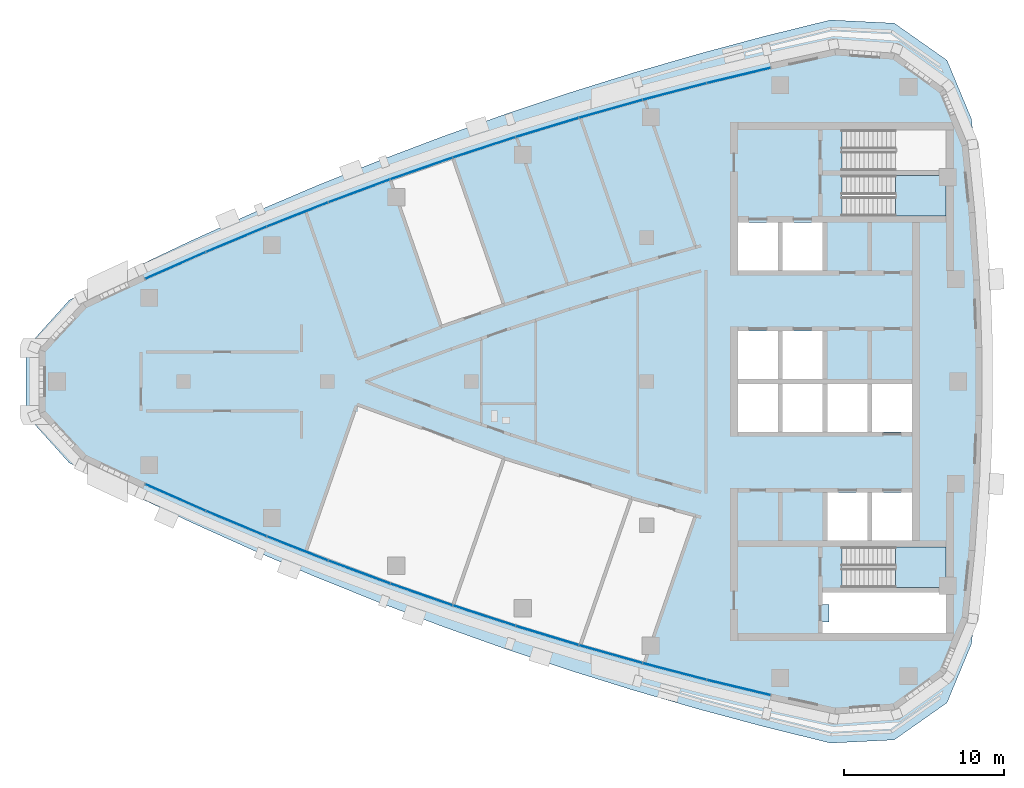
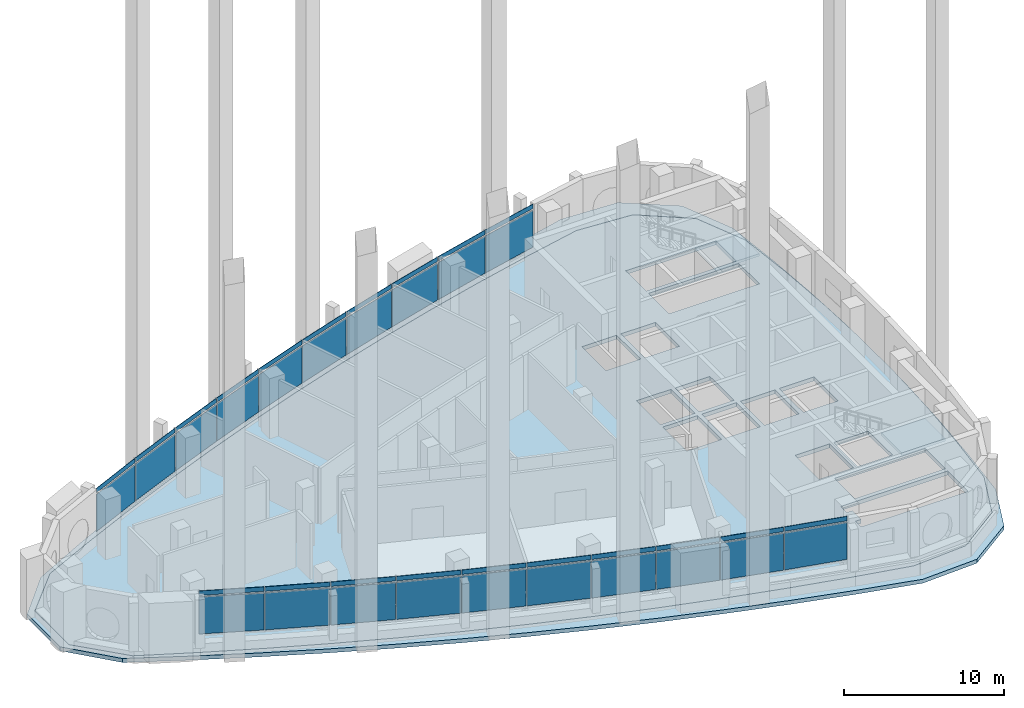
# One storey, part 5 of 15: 40 plates, 4 slabs, 1 opening, 12 elements without a shape of their own.
"""IFC4 building model written with IfcOpenShell, lengths in metres."""

from ifc_helpers import new_model, si_unit, direction, frame, origin, origin_2d, place, context, subcontext, project, spatial, polyline, rectangle, outline, extrude, material, layer, layer_set, type_object, element, aggregate, save


model = new_model("IFC4")

# Units and contexts
model_context = context("Model", 3, precision=1e-05, world=origin(), true_north=direction((0.0, 1.0)))
body_context = subcontext(model_context, "Body", "Model", "MODEL_VIEW")
ifc_project = project(units=[si_unit("LENGTHUNIT", "METRE"), si_unit("AREAUNIT", "SQUARE_METRE"), si_unit("VOLUMEUNIT", "CUBIC_METRE"), si_unit("PLANEANGLEUNIT", "RADIAN"), si_unit("MASSUNIT", "GRAM", prefix="KILO")], contexts=[model_context])

# Site, building, storey
site_placement = place(None, origin())
site = spatial("IfcSite", under=ifc_project, at=site_placement, CompositionType="ELEMENT")
building_placement = place(site_placement, origin())
building = spatial("IfcBuilding", under=site, at=building_placement, Name="Ostrand Prow Hotel Tower", CompositionType="ELEMENT")
storey_placement = place(building_placement, frame((0.0, 0.0, 263.300048828125)))
storey = spatial("IfcBuildingStorey", under=building, at=storey_placement, Name="L66", CompositionType="ELEMENT", Elevation=263.300048828125)

# Curtain wall, plates
ifc_material_1 = material(Name="Insulated glass in bronze anodised frame", Category="glass")
ifc_layer_1 = layer(ifc_material_1, 0.199951171875)
ifc_layer_set_1 = layer_set([ifc_layer_1], Name="Insulated glass in bronze anodised frame")
curtain_wall_type = type_object("IfcCurtainWallType", Name="Sky lobby full-height curtain wall", PredefinedType="NOTDEFINED", material=ifc_layer_set_1)
curtain_wall_1_placement = place(storey_placement, origin())
curtain_wall_1 = element("IfcCurtainWall", 1, at=curtain_wall_1_placement, inside=storey, type_object=curtain_wall_type, Name="CW3 run CWS1", PredefinedType="NOTDEFINED")
ifc_material_2 = material(Name="Low-iron clear glass", Category="glass")
ifc_layer_2 = layer(ifc_material_2, 0.031982421875)
ifc_layer_set_2 = layer_set([ifc_layer_2], Name="Low-iron clear glass")
plate_type_1 = type_object("IfcPlateType", Name="Clear glass unit 32 mm", PredefinedType="CURTAIN_PANEL", material=ifc_layer_set_2)
plate_1_placement = place(storey_placement, frame((15.493408203125, -7.259765625, 1.02001953125), z_axis=(0.0, 0.0, 1.0), x_axis=(0.914785615941, -0.403939694592, 0.0)))
plate_1 = element("IfcPlate", 2, at=plate_1_placement, type_object=plate_type_1, Name="CW3 PN-C panel 1.2", PredefinedType="CURTAIN_PANEL", context=body_context, shape_type="SweptSolid", body=[
    extrude(rectangle(XDim=4.079833984375, YDim=0.031982421875, at=origin_2d()), origin(), (0.0, 0.0, 1.0), 2.820068359375),
])
plate_2_placement = place(storey_placement, frame((15.493408203125, -7.259765625, 3.9599609375), z_axis=(0.0, 0.0, 1.0), x_axis=(0.914785615941, -0.403939694592, 0.0)))
plate_2 = element("IfcPlate", 3, at=plate_2_placement, type_object=plate_type_1, Name="CW3 PN-C panel 1.3", PredefinedType="CURTAIN_PANEL", context=body_context, shape_type="SweptSolid", body=[
    extrude(rectangle(XDim=4.079833984375, YDim=0.031982421875, at=origin_2d()), origin(), (0.0, 0.0, 1.0), 0.340087890625),
])
plate_3_placement = place(storey_placement, frame((19.297119140625, -8.893798828125, 1.02001953125), z_axis=(0.0, 0.0, 1.0), x_axis=(0.922719840955, -0.385471263659, 0.0)))
plate_3 = element("IfcPlate", 4, at=plate_3_placement, type_object=plate_type_1, Name="CW3 PN-C panel 2.2", PredefinedType="CURTAIN_PANEL", context=body_context, shape_type="SweptSolid", body=[
    extrude(rectangle(XDim=4.079833984375, YDim=0.031982421875, at=origin_2d()), origin(), (0.0, 0.0, 1.0), 2.820068359375),
])

curtain_wall_2_placement = place(storey_placement, origin())
curtain_wall_2 = element("IfcCurtainWall", 5, at=curtain_wall_2_placement, inside=storey, type_object=curtain_wall_type, Name="CW3 run CWS2", PredefinedType="NOTDEFINED")
plate_4_placement = place(storey_placement, frame((23.132568359375, -10.450927734375, 1.02001953125), z_axis=(0.0, 0.0, 1.0), x_axis=(0.930281895249, -0.366845465248, 0.0)))
plate_4 = element("IfcPlate", 6, at=plate_4_placement, type_object=plate_type_1, Name="CW3 PN-C panel 1.2", PredefinedType="CURTAIN_PANEL", context=body_context, shape_type="SweptSolid", body=[
    extrude(rectangle(XDim=4.079833984375, YDim=0.031982421875, at=origin_2d()), origin(), (0.0, 0.0, 1.0), 2.820068359375),
])
plate_5_placement = place(storey_placement, frame((26.99853515625, -11.930908203125, 1.02001953125), z_axis=(0.0, 0.0, 1.0), x_axis=(0.937468017947, -0.348071422738, 0.0)))
plate_5 = element("IfcPlate", 7, at=plate_5_placement, type_object=plate_type_1, Name="CW3 PN-C panel 2.2", PredefinedType="CURTAIN_PANEL", context=body_context, shape_type="SweptSolid", body=[
    extrude(rectangle(XDim=4.079833984375, YDim=0.031982421875, at=origin_2d()), origin(), (0.0, 0.0, 1.0), 2.820068359375),
])

curtain_wall_3_placement = place(storey_placement, origin())
curtain_wall_3 = element("IfcCurtainWall", 8, at=curtain_wall_3_placement, inside=storey, type_object=curtain_wall_type, Name="CW3 run CWS3", PredefinedType="NOTDEFINED")
plate_6_placement = place(storey_placement, frame((30.8935546875, -13.33251953125, 1.02001953125), z_axis=(0.0, 0.0, 1.0), x_axis=(0.944274730614, -0.329158370885, 0.0)))
plate_6 = element("IfcPlate", 9, at=plate_6_placement, type_object=plate_type_1, Name="CW3 PN-C panel 1.2", PredefinedType="CURTAIN_PANEL", context=body_context, shape_type="SweptSolid", body=[
    extrude(rectangle(XDim=4.079833984375, YDim=0.031982421875, at=origin_2d()), origin(), (0.0, 0.0, 1.0), 2.820068359375),
])
plate_7_placement = place(storey_placement, frame((30.8935546875, -13.33251953125, 3.9599609375), z_axis=(0.0, 0.0, 1.0), x_axis=(0.944274730614, -0.329158370885, 0.0)))
plate_7 = element("IfcPlate", 10, at=plate_7_placement, type_object=plate_type_1, Name="CW3 PN-C panel 1.3", PredefinedType="CURTAIN_PANEL", context=body_context, shape_type="SweptSolid", body=[
    extrude(rectangle(XDim=4.079833984375, YDim=0.031982421875, at=origin_2d()), origin(), (0.0, 0.0, 1.0), 0.340087890625),
])
plate_8_placement = place(storey_placement, frame((34.81591796875, -14.65576171875, 1.02001953125), z_axis=(0.0, 0.0, 1.0), x_axis=(0.950700464612, -0.310110668289, 0.0)))
plate_8 = element("IfcPlate", 11, at=plate_8_placement, type_object=plate_type_1, Name="CW3 PN-C panel 2.2", PredefinedType="CURTAIN_PANEL", context=body_context, shape_type="SweptSolid", body=[
    extrude(rectangle(XDim=4.079833984375, YDim=0.031982421875, at=origin_2d()), origin(), (0.0, 0.0, 1.0), 2.820068359375),
])

curtain_wall_4_placement = place(storey_placement, origin())
curtain_wall_4 = element("IfcCurtainWall", 12, at=curtain_wall_4_placement, inside=storey, type_object=curtain_wall_type, Name="CW3 run CWS4", PredefinedType="NOTDEFINED")
plate_9_placement = place(storey_placement, frame((38.76416015625, -15.89990234375, 1.02001953125), z_axis=(0.0, 0.0, 1.0), x_axis=(0.956742015769, -0.290937648411, 0.0)))
plate_9 = element("IfcPlate", 13, at=plate_9_placement, type_object=plate_type_1, Name="CW3 PN-C panel 1.2", PredefinedType="CURTAIN_PANEL", context=body_context, shape_type="SweptSolid", body=[
    extrude(rectangle(XDim=4.079833984375, YDim=0.031982421875, at=origin_2d()), origin(), (0.0, 0.0, 1.0), 2.820068359375),
])
plate_10_placement = place(storey_placement, frame((42.736572265625, -17.064453125, 1.02001953125), z_axis=(0.0, 0.0, 1.0), x_axis=(0.962396468548, -0.271648738865, 0.0)))
plate_10 = element("IfcPlate", 14, at=plate_10_placement, type_object=plate_type_1, Name="CW3 PN-C panel 2.2", PredefinedType="CURTAIN_PANEL", context=body_context, shape_type="SweptSolid", body=[
    extrude(rectangle(XDim=4.079833984375, YDim=0.031982421875, at=origin_2d()), origin(), (0.0, 0.0, 1.0), 2.820068359375),
])

curtain_wall_5_placement = place(storey_placement, origin())
curtain_wall_5 = element("IfcCurtainWall", 15, at=curtain_wall_5_placement, inside=storey, type_object=curtain_wall_type, Name="CW3 run CWS5", PredefinedType="NOTDEFINED")
plate_11_placement = place(storey_placement, frame((46.731689453125, -18.148681640625, 1.02001953125), z_axis=(0.0, 0.0, 1.0), x_axis=(0.967662519855, -0.252248384867, 0.0)))
plate_11 = element("IfcPlate", 16, at=plate_11_placement, type_object=plate_type_1, Name="CW3 PN-C panel 1.2", PredefinedType="CURTAIN_PANEL", context=body_context, shape_type="SweptSolid", body=[
    extrude(rectangle(XDim=4.079833984375, YDim=0.031982421875, at=origin_2d()), origin(), (0.0, 0.0, 1.0), 2.820068359375),
])
plate_12_placement = place(storey_placement, frame((46.731689453125, -18.148681640625, 3.9599609375), z_axis=(0.0, 0.0, 1.0), x_axis=(0.967662519855, -0.252248384867, 0.0)))
plate_12 = element("IfcPlate", 17, at=plate_12_placement, type_object=plate_type_1, Name="CW3 PN-C panel 1.3", PredefinedType="CURTAIN_PANEL", context=body_context, shape_type="SweptSolid", body=[
    extrude(rectangle(XDim=4.079833984375, YDim=0.031982421875, at=origin_2d()), origin(), (0.0, 0.0, 1.0), 0.340087890625),
])
plate_13_placement = place(storey_placement, frame((50.74755859375, -19.152587890625, 1.02001953125), z_axis=(0.0, 0.0, 1.0), x_axis=(0.972537533869, -0.232746096028, 0.0)))
plate_13 = element("IfcPlate", 18, at=plate_13_placement, type_object=plate_type_1, Name="CW3 PN-C panel 2.2", PredefinedType="CURTAIN_PANEL", context=body_context, shape_type="SweptSolid", body=[
    extrude(rectangle(XDim=4.079833984375, YDim=0.031982421875, at=origin_2d()), origin(), (0.0, 0.0, 1.0), 2.820068359375),
])

curtain_wall_6_placement = place(storey_placement, origin())
curtain_wall_6 = element("IfcCurtainWall", 19, at=curtain_wall_6_placement, inside=storey, type_object=curtain_wall_type, Name="CW3 run CWN1", PredefinedType="NOTDEFINED")
plate_14_placement = place(storey_placement, frame((50.74755859375, 19.152587890625, 1.02001953125), z_axis=(0.0, 0.0, 1.0), x_axis=(-0.972537533869, -0.232746096028, 0.0)))
plate_14 = element("IfcPlate", 20, at=plate_14_placement, type_object=plate_type_1, Name="CW3 PN-C panel 1.2", PredefinedType="CURTAIN_PANEL", context=body_context, shape_type="SweptSolid", body=[
    extrude(rectangle(XDim=4.079833984375, YDim=0.031982421875, at=origin_2d()), origin(), (0.0, 0.0, 1.0), 2.820068359375),
])
plate_15_placement = place(storey_placement, frame((50.74755859375, 19.152587890625, 3.9599609375), z_axis=(0.0, 0.0, 1.0), x_axis=(-0.972537533869, -0.232746096028, 0.0)))
plate_15 = element("IfcPlate", 21, at=plate_15_placement, type_object=plate_type_1, Name="CW3 PN-C panel 1.3", PredefinedType="CURTAIN_PANEL", context=body_context, shape_type="SweptSolid", body=[
    extrude(rectangle(XDim=4.079833984375, YDim=0.031982421875, at=origin_2d()), origin(), (0.0, 0.0, 1.0), 0.340087890625),
])
plate_16_placement = place(storey_placement, frame((46.731689453125, 18.148681640625, 1.02001953125), z_axis=(0.0, 0.0, 1.0), x_axis=(-0.967662519855, -0.252248384867, 0.0)))
plate_16 = element("IfcPlate", 22, at=plate_16_placement, type_object=plate_type_1, Name="CW3 PN-C panel 2.2", PredefinedType="CURTAIN_PANEL", context=body_context, shape_type="SweptSolid", body=[
    extrude(rectangle(XDim=4.079833984375, YDim=0.031982421875, at=origin_2d()), origin(), (0.0, 0.0, 1.0), 2.820068359375),
])

curtain_wall_7_placement = place(storey_placement, origin())
curtain_wall_7 = element("IfcCurtainWall", 23, at=curtain_wall_7_placement, inside=storey, type_object=curtain_wall_type, Name="CW3 run CWN2", PredefinedType="NOTDEFINED")
plate_17_placement = place(storey_placement, frame((42.736572265625, 17.064453125, 1.02001953125), z_axis=(0.0, 0.0, 1.0), x_axis=(-0.962396468548, -0.271648738865, 0.0)))
plate_17 = element("IfcPlate", 24, at=plate_17_placement, type_object=plate_type_1, Name="CW3 PN-C panel 1.2", PredefinedType="CURTAIN_PANEL", context=body_context, shape_type="SweptSolid", body=[
    extrude(rectangle(XDim=4.079833984375, YDim=0.031982421875, at=origin_2d()), origin(), (0.0, 0.0, 1.0), 2.820068359375),
])
plate_18_placement = place(storey_placement, frame((38.76416015625, 15.89990234375, 1.02001953125), z_axis=(0.0, 0.0, 1.0), x_axis=(-0.956742015769, -0.290937648411, 0.0)))
plate_18 = element("IfcPlate", 25, at=plate_18_placement, type_object=plate_type_1, Name="CW3 PN-C panel 2.2", PredefinedType="CURTAIN_PANEL", context=body_context, shape_type="SweptSolid", body=[
    extrude(rectangle(XDim=4.079833984375, YDim=0.031982421875, at=origin_2d()), origin(), (0.0, 0.0, 1.0), 2.820068359375),
])

curtain_wall_8_placement = place(storey_placement, origin())
curtain_wall_8 = element("IfcCurtainWall", 26, at=curtain_wall_8_placement, inside=storey, type_object=curtain_wall_type, Name="CW3 run CWN3", PredefinedType="NOTDEFINED")
plate_19_placement = place(storey_placement, frame((34.81591796875, 14.65576171875, 1.02001953125), z_axis=(0.0, 0.0, 1.0), x_axis=(-0.950700464612, -0.310110668289, 0.0)))
plate_19 = element("IfcPlate", 27, at=plate_19_placement, type_object=plate_type_1, Name="CW3 PN-C panel 1.2", PredefinedType="CURTAIN_PANEL", context=body_context, shape_type="SweptSolid", body=[
    extrude(rectangle(XDim=4.079833984375, YDim=0.031982421875, at=origin_2d()), origin(), (0.0, 0.0, 1.0), 2.820068359375),
])
plate_20_placement = place(storey_placement, frame((34.81591796875, 14.65576171875, 3.9599609375), z_axis=(0.0, 0.0, 1.0), x_axis=(-0.950700464612, -0.310110668289, 0.0)))
plate_20 = element("IfcPlate", 28, at=plate_20_placement, type_object=plate_type_1, Name="CW3 PN-C panel 1.3", PredefinedType="CURTAIN_PANEL", context=body_context, shape_type="SweptSolid", body=[
    extrude(rectangle(XDim=4.079833984375, YDim=0.031982421875, at=origin_2d()), origin(), (0.0, 0.0, 1.0), 0.340087890625),
])
plate_21_placement = place(storey_placement, frame((30.8935546875, 13.33251953125, 1.02001953125), z_axis=(0.0, 0.0, 1.0), x_axis=(-0.944274730614, -0.329158370885, 0.0)))
plate_21 = element("IfcPlate", 29, at=plate_21_placement, type_object=plate_type_1, Name="CW3 PN-C panel 2.2", PredefinedType="CURTAIN_PANEL", context=body_context, shape_type="SweptSolid", body=[
    extrude(rectangle(XDim=4.079833984375, YDim=0.031982421875, at=origin_2d()), origin(), (0.0, 0.0, 1.0), 2.820068359375),
])

curtain_wall_9_placement = place(storey_placement, origin())
curtain_wall_9 = element("IfcCurtainWall", 30, at=curtain_wall_9_placement, inside=storey, type_object=curtain_wall_type, Name="CW3 run CWN4", PredefinedType="NOTDEFINED")
plate_22_placement = place(storey_placement, frame((26.99853515625, 11.930908203125, 1.02001953125), z_axis=(0.0, 0.0, 1.0), x_axis=(-0.937468017947, -0.348071422738, 0.0)))
plate_22 = element("IfcPlate", 31, at=plate_22_placement, type_object=plate_type_1, Name="CW3 PN-C panel 1.2", PredefinedType="CURTAIN_PANEL", context=body_context, shape_type="SweptSolid", body=[
    extrude(rectangle(XDim=4.079833984375, YDim=0.031982421875, at=origin_2d()), origin(), (0.0, 0.0, 1.0), 2.820068359375),
])
plate_23_placement = place(storey_placement, frame((23.132568359375, 10.450927734375, 1.02001953125), z_axis=(0.0, 0.0, 1.0), x_axis=(-0.930281895249, -0.366845465248, 0.0)))
plate_23 = element("IfcPlate", 32, at=plate_23_placement, type_object=plate_type_1, Name="CW3 PN-C panel 2.2", PredefinedType="CURTAIN_PANEL", context=body_context, shape_type="SweptSolid", body=[
    extrude(rectangle(XDim=4.079833984375, YDim=0.031982421875, at=origin_2d()), origin(), (0.0, 0.0, 1.0), 2.820068359375),
])

curtain_wall_10_placement = place(storey_placement, origin())
curtain_wall_10 = element("IfcCurtainWall", 33, at=curtain_wall_10_placement, inside=storey, type_object=curtain_wall_type, Name="CW3 run CWN5", PredefinedType="NOTDEFINED")
plate_24_placement = place(storey_placement, frame((19.297119140625, 8.893798828125, 1.02001953125), z_axis=(0.0, 0.0, 1.0), x_axis=(-0.922719840955, -0.385471263659, 0.0)))
plate_24 = element("IfcPlate", 34, at=plate_24_placement, type_object=plate_type_1, Name="CW3 PN-C panel 1.2", PredefinedType="CURTAIN_PANEL", context=body_context, shape_type="SweptSolid", body=[
    extrude(rectangle(XDim=4.079833984375, YDim=0.031982421875, at=origin_2d()), origin(), (0.0, 0.0, 1.0), 2.820068359375),
])
plate_25_placement = place(storey_placement, frame((19.297119140625, 8.893798828125, 3.9599609375), z_axis=(0.0, 0.0, 1.0), x_axis=(-0.922719840955, -0.385471263659, 0.0)))
plate_25 = element("IfcPlate", 35, at=plate_25_placement, type_object=plate_type_1, Name="CW3 PN-C panel 1.3", PredefinedType="CURTAIN_PANEL", context=body_context, shape_type="SweptSolid", body=[
    extrude(rectangle(XDim=4.079833984375, YDim=0.031982421875, at=origin_2d()), origin(), (0.0, 0.0, 1.0), 0.340087890625),
])
plate_26_placement = place(storey_placement, frame((15.493408203125, 7.259765625, 1.02001953125), z_axis=(0.0, 0.0, 1.0), x_axis=(-0.914785615941, -0.403939694592, 0.0)))
plate_26 = element("IfcPlate", 36, at=plate_26_placement, type_object=plate_type_1, Name="CW3 PN-C panel 2.2", PredefinedType="CURTAIN_PANEL", context=body_context, shape_type="SweptSolid", body=[
    extrude(rectangle(XDim=4.079833984375, YDim=0.031982421875, at=origin_2d()), origin(), (0.0, 0.0, 1.0), 2.820068359375),
])

# Plate
ifc_material_3 = material(Name="Ceramic-fritted glass", Category="glass")
ifc_layer_3 = layer(ifc_material_3, 0.031982421875)
ifc_layer_set_3 = layer_set([ifc_layer_3], Name="Ceramic-fritted glass")
plate_type_2 = type_object("IfcPlateType", Name="Dot-fritted ceramic glass unit 32 mm", PredefinedType="CURTAIN_PANEL", material=ifc_layer_set_3)
plate_27_placement = place(storey_placement, frame((19.297119140625, -8.893798828125, 3.9599609375), z_axis=(0.0, 0.0, 1.0), x_axis=(0.922719840955, -0.385471263659, 0.0)))
plate_27 = element("IfcPlate", 37, at=plate_27_placement, type_object=plate_type_2, Name="CW3 PN-D panel 2.3", PredefinedType="CURTAIN_PANEL", context=body_context, shape_type="SweptSolid", body=[
    extrude(rectangle(XDim=4.079833984375, YDim=0.031982421875, at=origin_2d()), origin(), (0.0, 0.0, 1.0), 0.340087890625),
])

aggregate(curtain_wall_1, [plate_1, plate_2, plate_3, plate_27])

plate_28_placement = place(storey_placement, frame((26.99853515625, -11.930908203125, 3.9599609375), z_axis=(0.0, 0.0, 1.0), x_axis=(0.937468017947, -0.348071422738, 0.0)))
plate_28 = element("IfcPlate", 38, at=plate_28_placement, type_object=plate_type_2, Name="CW3 PN-D panel 2.3", PredefinedType="CURTAIN_PANEL", context=body_context, shape_type="SweptSolid", body=[
    extrude(rectangle(XDim=4.079833984375, YDim=0.031982421875, at=origin_2d()), origin(), (0.0, 0.0, 1.0), 0.340087890625),
])

plate_29_placement = place(storey_placement, frame((34.81591796875, -14.65576171875, 3.9599609375), z_axis=(0.0, 0.0, 1.0), x_axis=(0.950700464612, -0.310110668289, 0.0)))
plate_29 = element("IfcPlate", 39, at=plate_29_placement, type_object=plate_type_2, Name="CW3 PN-D panel 2.3", PredefinedType="CURTAIN_PANEL", context=body_context, shape_type="SweptSolid", body=[
    extrude(rectangle(XDim=4.079833984375, YDim=0.031982421875, at=origin_2d()), origin(), (0.0, 0.0, 1.0), 0.340087890625),
])

aggregate(curtain_wall_3, [plate_6, plate_7, plate_8, plate_29])

plate_30_placement = place(storey_placement, frame((42.736572265625, -17.064453125, 3.9599609375), z_axis=(0.0, 0.0, 1.0), x_axis=(0.962396468548, -0.271648738865, 0.0)))
plate_30 = element("IfcPlate", 40, at=plate_30_placement, type_object=plate_type_2, Name="CW3 PN-D panel 2.3", PredefinedType="CURTAIN_PANEL", context=body_context, shape_type="SweptSolid", body=[
    extrude(rectangle(XDim=4.079833984375, YDim=0.031982421875, at=origin_2d()), origin(), (0.0, 0.0, 1.0), 0.340087890625),
])

plate_31_placement = place(storey_placement, frame((50.74755859375, -19.152587890625, 3.9599609375), z_axis=(0.0, 0.0, 1.0), x_axis=(0.972537533869, -0.232746096028, 0.0)))
plate_31 = element("IfcPlate", 41, at=plate_31_placement, type_object=plate_type_2, Name="CW3 PN-D panel 2.3", PredefinedType="CURTAIN_PANEL", context=body_context, shape_type="SweptSolid", body=[
    extrude(rectangle(XDim=4.079833984375, YDim=0.031982421875, at=origin_2d()), origin(), (0.0, 0.0, 1.0), 0.340087890625),
])

aggregate(curtain_wall_5, [plate_11, plate_12, plate_13, plate_31])

plate_32_placement = place(storey_placement, frame((46.731689453125, 18.148681640625, 3.9599609375), z_axis=(0.0, 0.0, 1.0), x_axis=(-0.967662519855, -0.252248384867, 0.0)))
plate_32 = element("IfcPlate", 42, at=plate_32_placement, type_object=plate_type_2, Name="CW3 PN-D panel 2.3", PredefinedType="CURTAIN_PANEL", context=body_context, shape_type="SweptSolid", body=[
    extrude(rectangle(XDim=4.079833984375, YDim=0.031982421875, at=origin_2d()), origin(), (0.0, 0.0, 1.0), 0.340087890625),
])

aggregate(curtain_wall_6, [plate_14, plate_15, plate_16, plate_32])

plate_33_placement = place(storey_placement, frame((38.76416015625, 15.89990234375, 3.9599609375), z_axis=(0.0, 0.0, 1.0), x_axis=(-0.956742015769, -0.290937648411, 0.0)))
plate_33 = element("IfcPlate", 43, at=plate_33_placement, type_object=plate_type_2, Name="CW3 PN-D panel 2.3", PredefinedType="CURTAIN_PANEL", context=body_context, shape_type="SweptSolid", body=[
    extrude(rectangle(XDim=4.079833984375, YDim=0.031982421875, at=origin_2d()), origin(), (0.0, 0.0, 1.0), 0.340087890625),
])

plate_34_placement = place(storey_placement, frame((30.8935546875, 13.33251953125, 3.9599609375), z_axis=(0.0, 0.0, 1.0), x_axis=(-0.944274730614, -0.329158370885, 0.0)))
plate_34 = element("IfcPlate", 44, at=plate_34_placement, type_object=plate_type_2, Name="CW3 PN-D panel 2.3", PredefinedType="CURTAIN_PANEL", context=body_context, shape_type="SweptSolid", body=[
    extrude(rectangle(XDim=4.079833984375, YDim=0.031982421875, at=origin_2d()), origin(), (0.0, 0.0, 1.0), 0.340087890625),
])

aggregate(curtain_wall_8, [plate_19, plate_20, plate_21, plate_34])

plate_35_placement = place(storey_placement, frame((23.132568359375, 10.450927734375, 3.9599609375), z_axis=(0.0, 0.0, 1.0), x_axis=(-0.930281895249, -0.366845465248, 0.0)))
plate_35 = element("IfcPlate", 45, at=plate_35_placement, type_object=plate_type_2, Name="CW3 PN-D panel 2.3", PredefinedType="CURTAIN_PANEL", context=body_context, shape_type="SweptSolid", body=[
    extrude(rectangle(XDim=4.079833984375, YDim=0.031982421875, at=origin_2d()), origin(), (0.0, 0.0, 1.0), 0.340087890625),
])

plate_36_placement = place(storey_placement, frame((15.493408203125, 7.259765625, 3.9599609375), z_axis=(0.0, 0.0, 1.0), x_axis=(-0.914785615941, -0.403939694592, 0.0)))
plate_36 = element("IfcPlate", 46, at=plate_36_placement, type_object=plate_type_2, Name="CW3 PN-D panel 2.3", PredefinedType="CURTAIN_PANEL", context=body_context, shape_type="SweptSolid", body=[
    extrude(rectangle(XDim=4.079833984375, YDim=0.031982421875, at=origin_2d()), origin(), (0.0, 0.0, 1.0), 0.340087890625),
])

aggregate(curtain_wall_10, [plate_24, plate_25, plate_26, plate_36])

ifc_material_4 = material(Name="Ceramic-fritted glass", Category="glass")
ifc_layer_4 = layer(ifc_material_4, 0.031982421875)
ifc_layer_set_4 = layer_set([ifc_layer_4], Name="Ceramic-fritted glass")
plate_type_3 = type_object("IfcPlateType", Name="Line-fritted ceramic glass unit 32 mm", PredefinedType="CURTAIN_PANEL", material=ifc_layer_set_4)
plate_37_placement = place(storey_placement, frame((23.132568359375, -10.450927734375, 3.9599609375), z_axis=(0.0, 0.0, 1.0), x_axis=(0.930281895249, -0.366845465248, 0.0)))
plate_37 = element("IfcPlate", 47, at=plate_37_placement, type_object=plate_type_3, Name="CW3 PN-L panel 1.3", PredefinedType="CURTAIN_PANEL", context=body_context, shape_type="SweptSolid", body=[
    extrude(rectangle(XDim=4.079833984375, YDim=0.031982421875, at=origin_2d()), origin(), (0.0, 0.0, 1.0), 0.340087890625),
])

aggregate(curtain_wall_2, [plate_4, plate_37, plate_5, plate_28])

plate_38_placement = place(storey_placement, frame((38.76416015625, -15.89990234375, 3.9599609375), z_axis=(0.0, 0.0, 1.0), x_axis=(0.956742015769, -0.290937648411, 0.0)))
plate_38 = element("IfcPlate", 48, at=plate_38_placement, type_object=plate_type_3, Name="CW3 PN-L panel 1.3", PredefinedType="CURTAIN_PANEL", context=body_context, shape_type="SweptSolid", body=[
    extrude(rectangle(XDim=4.079833984375, YDim=0.031982421875, at=origin_2d()), origin(), (0.0, 0.0, 1.0), 0.340087890625),
])

aggregate(curtain_wall_4, [plate_9, plate_38, plate_10, plate_30])

plate_39_placement = place(storey_placement, frame((42.736572265625, 17.064453125, 3.9599609375), z_axis=(0.0, 0.0, 1.0), x_axis=(-0.962396468548, -0.271648738865, 0.0)))
plate_39 = element("IfcPlate", 49, at=plate_39_placement, type_object=plate_type_3, Name="CW3 PN-L panel 1.3", PredefinedType="CURTAIN_PANEL", context=body_context, shape_type="SweptSolid", body=[
    extrude(rectangle(XDim=4.079833984375, YDim=0.031982421875, at=origin_2d()), origin(), (0.0, 0.0, 1.0), 0.340087890625),
])

aggregate(curtain_wall_7, [plate_17, plate_39, plate_18, plate_33])

plate_40_placement = place(storey_placement, frame((26.99853515625, 11.930908203125, 3.9599609375), z_axis=(0.0, 0.0, 1.0), x_axis=(-0.937468017947, -0.348071422738, 0.0)))
plate_40 = element("IfcPlate", 50, at=plate_40_placement, type_object=plate_type_3, Name="CW3 PN-L panel 1.3", PredefinedType="CURTAIN_PANEL", context=body_context, shape_type="SweptSolid", body=[
    extrude(rectangle(XDim=4.079833984375, YDim=0.031982421875, at=origin_2d()), origin(), (0.0, 0.0, 1.0), 0.340087890625),
])

aggregate(curtain_wall_9, [plate_22, plate_40, plate_23, plate_35])

# Slab, opening
ifc_material_5 = material(Name="Concrete C40/50", Category="concrete")
ifc_layer_5 = layer(ifc_material_5, 0.300048828125)
ifc_layer_set_5 = layer_set([ifc_layer_5], Name="Concrete C40/50")
slab_type_1 = type_object("IfcSlabType", Name="PT flat plate 300 C40/50", PredefinedType="FLOOR", material=ifc_layer_set_5)
slab_1_placement = place(storey_placement, frame((0.0, 0.0, -0.300048828125)))
slab_1 = element("IfcSlab", 51, at=slab_1_placement, inside=storey, type_object=slab_type_1, Name="Floor slab L66-1", PredefinedType="FLOOR", context=body_context, shape_type="SweptSolid", body=[
    extrude(outline(polyline([(9.560791015625, 5.168212890625), (13.365478515625, 6.9404296875), (17.1630859375, 8.6171875), (20.993408203125, 10.21728515625), (24.855224609375, 11.740234375), (28.746826171875, 13.185302734375), (32.666748046875, 14.551513671875), (36.61328125, 15.8388671875), (40.5849609375, 17.046630859375), (44.580078125, 18.17431640625), (48.596923828125, 19.221435546875), (52.634033203125, 20.187744140625), (56.72265625, 21.07958984375), (60.634765625, 20.80029296875), (63.84765625, 18.49072265625), (65.35888671875, 14.87060546875), (65.796875, 10.611083984375), (66.0869140625, 6.37158203125), (66.23193359375, 2.124755859375), (66.23193359375, -2.124755859375), (66.0869140625, -6.37158203125), (65.796875, -10.611083984375), (65.35888671875, -14.87060546875), (63.84765625, -18.49072265625), (60.634765625, -20.80029296875), (56.72265625, -21.07958984375), (52.634033203125, -20.187744140625), (48.596923828125, -19.221435546875), (44.580078125, -18.17431640625), (40.5849609375, -17.046630859375), (36.61328125, -15.8388671875), (32.666748046875, -14.551513671875), (28.746826171875, -13.185302734375), (24.855224609375, -11.740234375), (20.993408203125, -10.21728515625), (17.1630859375, -8.6171875), (13.365478515625, -6.9404296875), (9.560791015625, -5.168212890625), (6.71484375, -2.112548828125), (6.71484375, 2.112548828125), (9.560791015625, 5.168212890625)]), holes=[polyline([(50.699951171875, 6.949951171875), (53.199951171875, 6.949951171875), (53.199951171875, 9.949951171875), (50.699951171875, 9.949951171875), (50.699951171875, 6.949951171875)]), polyline([(53.5, 6.949951171875), (56.0, 6.949951171875), (56.0, 9.949951171875), (53.5, 9.949951171875), (53.5, 6.949951171875)]), polyline([(50.699951171875, 0.14990234375), (53.199951171875, 0.14990234375), (53.199951171875, 3.14990234375), (50.699951171875, 3.14990234375), (50.699951171875, 0.14990234375)]), polyline([(53.5, 0.14990234375), (56.0, 0.14990234375), (56.0, 3.14990234375), (53.5, 3.14990234375), (53.5, 0.14990234375)]), polyline([(50.699951171875, -3.14990234375), (53.199951171875, -3.14990234375), (53.199951171875, -0.14990234375), (50.699951171875, -0.14990234375), (50.699951171875, -3.14990234375)]), polyline([(53.5, -3.14990234375), (56.0, -3.14990234375), (56.0, -0.14990234375), (53.5, -0.14990234375), (53.5, -3.14990234375)]), polyline([(56.300048828125, -3.14990234375), (58.800048828125, -3.14990234375), (58.800048828125, -0.14990234375), (56.300048828125, -0.14990234375), (56.300048828125, -3.14990234375)]), polyline([(59.10009765625, -3.14990234375), (61.60009765625, -3.14990234375), (61.60009765625, -0.14990234375), (59.10009765625, -0.14990234375), (59.10009765625, -3.14990234375)]), polyline([(56.300048828125, -9.949951171875), (58.800048828125, -9.949951171875), (58.800048828125, -6.949951171875), (56.300048828125, -6.949951171875), (56.300048828125, -9.949951171875)]), polyline([(59.10009765625, -9.949951171875), (61.60009765625, -9.949951171875), (61.60009765625, -6.949951171875), (59.10009765625, -6.949951171875), (59.10009765625, -9.949951171875)]), polyline([(57.200927734375, 10.35107421875), (57.200927734375, 12.89892578125), (63.718994140625, 12.89892578125), (63.718994140625, 10.35107421875), (57.200927734375, 10.35107421875)]), polyline([(57.200927734375, 13.200927734375), (57.200927734375, 15.7490234375), (63.718994140625, 15.7490234375), (63.718994140625, 13.200927734375), (57.200927734375, 13.200927734375)]), polyline([(57.200927734375, -12.89892578125), (57.200927734375, -10.35107421875), (63.718994140625, -10.35107421875), (63.718994140625, -12.89892578125), (57.200927734375, -12.89892578125)]), polyline([(56.0, -13.949951171875), (56.0, -13.199951171875), (63.719970703125, -13.199951171875), (63.719970703125, -15.75), (56.0, -15.75), (56.0, -15.050048828125), (56.39990234375, -15.050048828125), (56.39990234375, -13.949951171875), (56.0, -13.949951171875)])]), origin(), (0.0, 0.0, 1.0), 0.300048828125),
])
opening_placement = place(slab_1_placement, origin())
element("IfcOpeningElement", 52, at=opening_placement, cuts=slab_1, Name="Shaft opening 1", PredefinedType="OPENING", context=body_context, shape_type="SweptSolid", body=[
    extrude(outline(polyline([(56.0, -13.949951171875), (56.0, -13.199951171875), (63.719970703125, -13.199951171875), (63.719970703125, -15.75), (56.0, -15.75), (56.0, -15.050048828125), (56.39990234375, -15.050048828125), (56.39990234375, -13.949951171875), (56.0, -13.949951171875)])), origin(), (0.0, 0.0, 1.0), 0.300048828125),
])

# Slab
ifc_material_6 = material(Name="Concrete C40/50", Category="concrete")
ifc_layer_6 = layer(ifc_material_6, 0.300048828125)
ifc_layer_set_6 = layer_set([ifc_layer_6], Name="Concrete C40/50")
slab_type_2 = type_object("IfcSlabType", Name="Roof slab 300 C40/50", PredefinedType="ROOF", material=ifc_layer_set_6)
slab_2_placement = place(storey_placement, frame((0.0, 0.0, -0.300048828125)))
element("IfcSlab", 53, at=slab_2_placement, inside=storey, type_object=slab_type_2, Name="Ledge roof slab L66.1", PredefinedType="ROOF", context=body_context, shape_type="SweptSolid", body=[
    extrude(outline(polyline([(12.679443359375, 7.009765625), (16.50390625, 8.825439453125), (20.364013671875, 10.563720703125), (24.258544921875, 12.223876953125), (28.185791015625, 13.80517578125), (32.143798828125, 15.30712890625), (36.131591796875, 16.72900390625), (40.14697265625, 18.0703125), (44.188720703125, 19.330810546875), (48.2548828125, 20.50927734375), (52.343994140625, 21.605712890625), (56.4873046875, 22.627685546875), (60.48193359375, 22.4287109375), (63.7822265625, 20.107177734375), (65.320068359375, 16.414794921875), (65.728515625, 12.29736328125), (66.018310546875, 8.20361328125), (66.19189453125, 4.103515625), (66.2109375, 2.768310546875), (66.087890625, 6.37158203125), (65.7978515625, 10.611083984375), (65.360107421875, 14.87109375), (63.848388671875, 18.491455078125), (60.635009765625, 20.801513671875), (56.72265625, 21.08056640625), (52.6337890625, 20.188720703125), (48.5966796875, 19.222412109375), (44.57958984375, 18.17529296875), (40.584716796875, 17.047607421875), (36.613037109375, 15.83984375), (32.66650390625, 14.552490234375), (28.74658203125, 13.186279296875), (24.85498046875, 11.7412109375), (20.992919921875, 10.218505859375), (17.16259765625, 8.6181640625), (13.365234375, 6.94140625), (9.56005859375, 5.1689453125), (6.7138671875, 2.113037109375), (6.7138671875, -2.113037109375), (9.56005859375, -5.1689453125), (13.365234375, -6.94140625), (17.16259765625, -8.6181640625), (20.992919921875, -10.218505859375), (24.85498046875, -11.7412109375), (28.74658203125, -13.186279296875), (32.66650390625, -14.552490234375), (36.613037109375, -15.83984375), (40.584716796875, -17.047607421875), (44.57958984375, -18.17529296875), (48.5966796875, -19.222412109375), (52.6337890625, -20.188720703125), (56.72265625, -21.08056640625), (60.635009765625, -20.801513671875), (63.848388671875, -18.491455078125), (65.360107421875, -14.87109375), (65.7978515625, -10.611083984375), (66.087890625, -6.37158203125), (66.2109375, -2.768310546875), (66.19189453125, -4.103515625), (66.018310546875, -8.20361328125), (65.728515625, -12.29736328125), (65.320068359375, -16.414794921875), (63.7822265625, -20.107177734375), (60.48193359375, -22.4287109375), (56.4873046875, -22.627685546875), (52.343994140625, -21.605712890625), (48.2548828125, -20.50927734375), (44.188720703125, -19.330810546875), (40.14697265625, -18.0703125), (36.131591796875, -16.72900390625), (32.143798828125, -15.30712890625), (28.185791015625, -13.80517578125), (24.258544921875, -12.223876953125), (20.364013671875, -10.563720703125), (16.50390625, -8.825439453125), (12.679443359375, -7.009765625), (8.85205078125, -5.097412109375), (6.127685546875, -2.06298828125), (6.127685546875, 2.06298828125), (8.85205078125, 5.097412109375), (12.679443359375, 7.009765625)])), origin(), (0.0, 0.0, 1.0), 0.300048828125),
])

# Stair, slab
ifc_material_7 = material(Name="Concrete C40/50", Category="concrete")
stair_type = type_object("IfcStairType", Name="Exit stair 1200 upper zone", PredefinedType="HALF_TURN_STAIR", material=ifc_material_7)
stair_1_placement = place(storey_placement, origin())
stair_1 = element("IfcStair", 54, at=stair_1_placement, inside=storey, type_object=stair_type, Name="L66 ST1C", PredefinedType="HALF_TURN_STAIR")
ifc_material_8 = material(Name="Concrete C40/50", Category="concrete")
ifc_layer_7 = layer(ifc_material_8, 0.199951171875)
ifc_layer_set_7 = layer_set([ifc_layer_7], Name="Concrete C40/50")
slab_type_3 = type_object("IfcSlabType", Name="Stair landing 200 concrete", PredefinedType="LANDING", material=ifc_layer_set_7)
slab_3_placement = place(storey_placement, frame((0.0, 0.0, 2.099853515625)))
slab_3 = element("IfcSlab", 55, at=slab_3_placement, type_object=slab_type_3, Name="ST1C landing 1", PredefinedType="LANDING", context=body_context, shape_type="SweptSolid", body=[
    extrude(outline(polyline([(60.56005859375, 10.35009765625), (63.719970703125, 10.35009765625), (63.719970703125, 12.89990234375), (60.56005859375, 12.89990234375), (60.56005859375, 10.35009765625)])), origin(), (0.0, 0.0, 1.0), 0.2001953125),
])
aggregate(stair_1, [slab_3])

stair_2_placement = place(storey_placement, origin())
stair_2 = element("IfcStair", 56, at=stair_2_placement, inside=storey, type_object=stair_type, Name="L66 ST2C", PredefinedType="HALF_TURN_STAIR")
slab_4_placement = place(storey_placement, frame((0.0, 0.0, 2.099853515625)))
slab_4 = element("IfcSlab", 57, at=slab_4_placement, type_object=slab_type_3, Name="ST2C landing 1", PredefinedType="LANDING", context=body_context, shape_type="SweptSolid", body=[
    extrude(outline(polyline([(60.56005859375, -12.89990234375), (63.719970703125, -12.89990234375), (63.719970703125, -10.35009765625), (60.56005859375, -10.35009765625), (60.56005859375, -12.89990234375)])), origin(), (0.0, 0.0, 1.0), 0.2001953125),
])
aggregate(stair_2, [slab_4])

save(model, "model.ifc")
